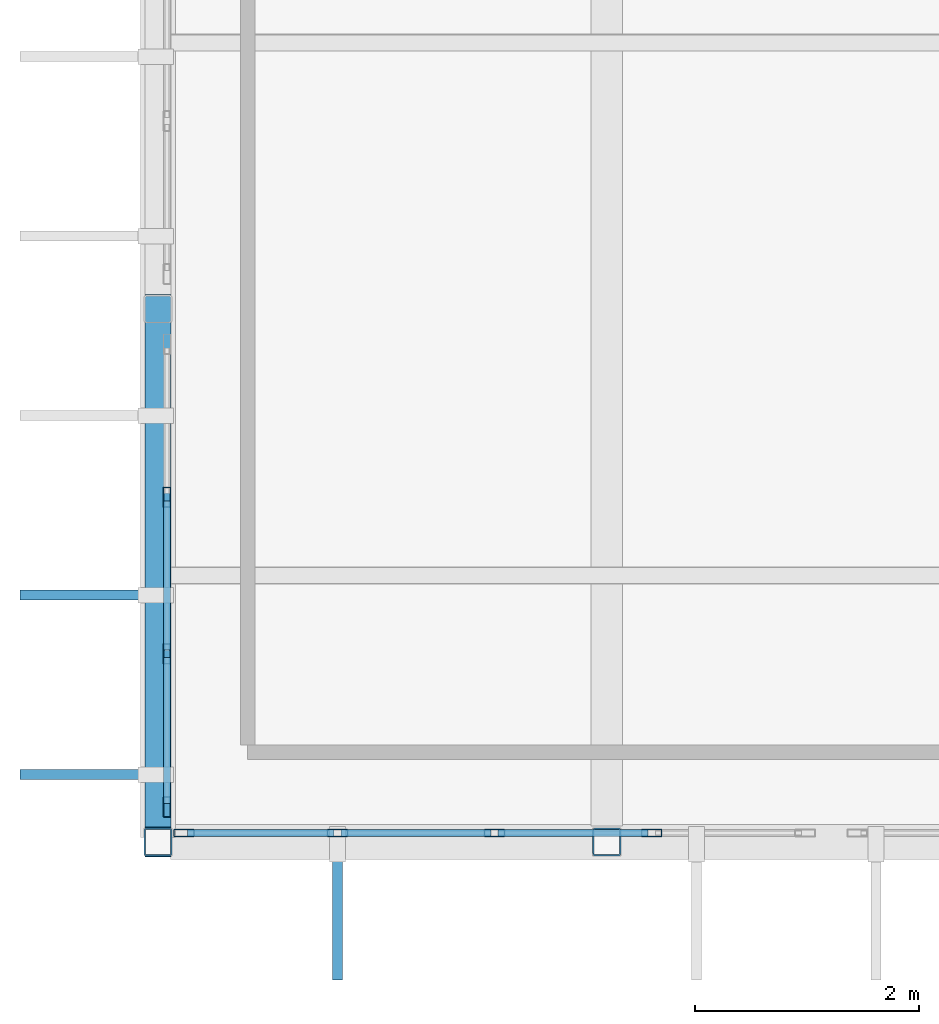
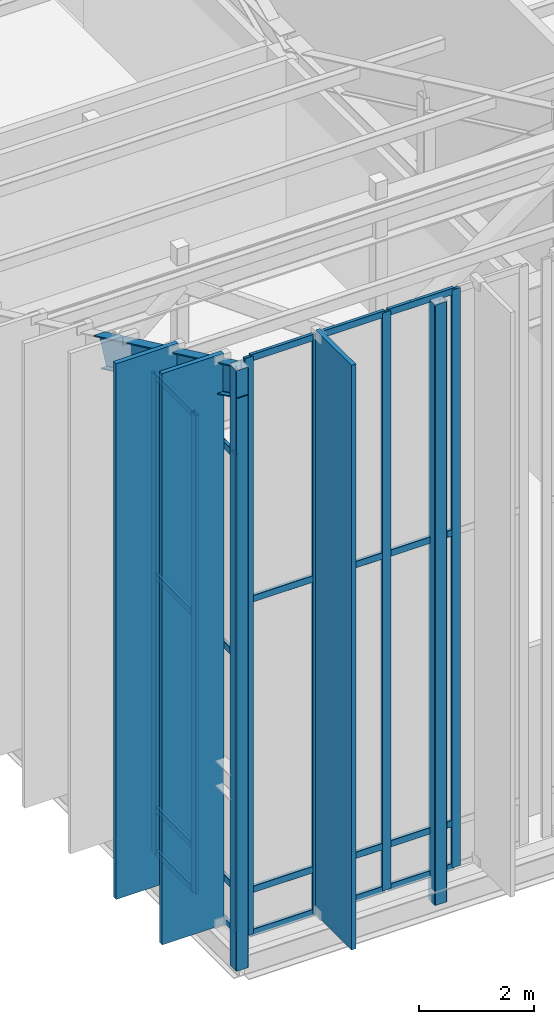
# One storey, part 2 of 68: 32 members, 1 beam, 2 elements without a shape of their own.
"""IFC4 building model written with IfcOpenShell, lengths in metres."""

from ifc_helpers import new_model, si_unit, direction, frame, origin, origin_2d, place, context, subcontext, project, spatial, rectangle, hollow_rectangle, i_section, extrude, material, material_profile, profile_set, type_object, element, aggregate, save


model = new_model("IFC4")

# Units and contexts
model_context = context("Model", 3, precision=1e-05, world=origin(), true_north=direction((0.0, 1.0)))
body_context = subcontext(model_context, "Body", "Model", "MODEL_VIEW")
ifc_project = project(units=[si_unit("LENGTHUNIT", "METRE"), si_unit("AREAUNIT", "SQUARE_METRE"), si_unit("VOLUMEUNIT", "CUBIC_METRE"), si_unit("PLANEANGLEUNIT", "RADIAN"), si_unit("MASSUNIT", "GRAM", prefix="KILO")], contexts=[model_context])

# Site, building, storey
site_placement = place(None, origin())
site = spatial("IfcSite", under=ifc_project, at=site_placement, CompositionType="ELEMENT")
building_placement = place(site_placement, origin())
building = spatial("IfcBuilding", under=site, at=building_placement, Name="Miravela Opera House", CompositionType="ELEMENT")
storey_placement = place(building_placement, frame((0.0, 0.0, 21.760009765625)))
storey = spatial("IfcBuildingStorey", under=building, at=storey_placement, Name="L05", CompositionType="ELEMENT", Elevation=21.760009765625)

# Curtain wall, members
ifc_material_1 = material(Name="Anodised architectural bronze aluminium 6063-T6", Category="aluminium")
curtain_wall_type = type_object("IfcCurtainWallType", Name="ARC-CW-03", PredefinedType="NOTDEFINED", material=ifc_material_1)
curtain_wall_1_placement = place(storey_placement, origin())
curtain_wall_1 = element("IfcCurtainWall", 1, at=curtain_wall_1_placement, inside=storey, type_object=curtain_wall_type, Name="Cantilever West Wrapper Glazing B1 CW-L05-047", PredefinedType="NOTDEFINED")
ifc_material_profile_1 = material_profile(ifc_material_1, hollow_rectangle(XDim=0.06494140625, YDim=0.179931640625, WallThickness=0.00390625, InnerFilletRadius=0.001953125, OuterFilletRadius=0.00390625, at=origin_2d()), Name="CWM-65X180")
ifc_profile_set_1 = profile_set([ifc_material_profile_1])
member_type_1 = type_object("IfcMemberType", Name="ARC-CWM-180", PredefinedType="MULLION", material=ifc_profile_set_1)
member_1_placement = place(storey_placement, frame((15.080078125, 37.3125, 0.0), z_axis=(0.0, 0.0, 1.0), x_axis=(-1.0, 0.0, 0.0)))
member_1 = element("IfcMember", 2, at=member_1_placement, type_object=member_type_1, Name="CW-03 mullion 1", PredefinedType="MULLION", context=body_context, shape_type="SweptSolid", body=[
    extrude(hollow_rectangle(XDim=0.06494140625, YDim=0.179931640625, WallThickness=0.00390625, InnerFilletRadius=0.001953125, OuterFilletRadius=0.00390625, at=origin_2d()), origin(), (0.0, 0.0, 1.0), 10.192626953125),
])
member_2_placement = place(storey_placement, frame((15.080078125, 38.6767578125, 0.0), z_axis=(0.0, 0.0, 1.0), x_axis=(-1.0, 0.0, 0.0)))
member_2 = element("IfcMember", 3, at=member_2_placement, type_object=member_type_1, Name="CW-03 mullion 2", PredefinedType="MULLION", context=body_context, shape_type="SweptSolid", body=[
    extrude(hollow_rectangle(XDim=0.06494140625, YDim=0.179931640625, WallThickness=0.00390625, InnerFilletRadius=0.001953125, OuterFilletRadius=0.00390625, at=origin_2d()), origin(), (0.0, 0.0, 1.0), 10.192626953125),
])
member_3_placement = place(storey_placement, frame((15.080078125, 40.0732421875, 0.0), z_axis=(0.0, 0.0, 1.0), x_axis=(-1.0, 0.0, 0.0)))
member_3 = element("IfcMember", 4, at=member_3_placement, type_object=member_type_1, Name="CW-03 mullion 3", PredefinedType="MULLION", context=body_context, shape_type="SweptSolid", body=[
    extrude(hollow_rectangle(XDim=0.06494140625, YDim=0.179931640625, WallThickness=0.00390625, InnerFilletRadius=0.001953125, OuterFilletRadius=0.00390625, at=origin_2d()), origin(), (0.0, 0.0, 1.0), 10.192626953125),
])

curtain_wall_2_placement = place(storey_placement, origin())
curtain_wall_2 = element("IfcCurtainWall", 5, at=curtain_wall_2_placement, inside=storey, type_object=curtain_wall_type, Name="Auditorium South Wrapper Glazing CW-L05-056", PredefinedType="NOTDEFINED")
member_4_placement = place(storey_placement, frame((15.232421875, 37.080078125, 0.0), z_axis=(0.0, 0.0, 1.0), x_axis=(0.0, 1.0, 0.0)))
member_4 = element("IfcMember", 6, at=member_4_placement, type_object=member_type_1, Name="CW-03 mullion 1", PredefinedType="MULLION", context=body_context, shape_type="SweptSolid", body=[
    extrude(hollow_rectangle(XDim=0.06494140625, YDim=0.179931640625, WallThickness=0.00390625, InnerFilletRadius=0.001953125, OuterFilletRadius=0.00390625, at=origin_2d()), origin(), (0.0, 0.0, 1.0), 12.31005859375),
])
member_5_placement = place(storey_placement, frame((16.60009765625, 37.080078125, 0.0), z_axis=(0.0, 0.0, 1.0), x_axis=(0.0, 1.0, 0.0)))
member_5 = element("IfcMember", 7, at=member_5_placement, type_object=member_type_1, Name="CW-03 mullion 2", PredefinedType="MULLION", context=body_context, shape_type="SweptSolid", body=[
    extrude(hollow_rectangle(XDim=0.06494140625, YDim=0.179931640625, WallThickness=0.00390625, InnerFilletRadius=0.001953125, OuterFilletRadius=0.00390625, at=origin_2d()), origin(), (0.0, 0.0, 1.0), 12.31005859375),
])
member_6_placement = place(storey_placement, frame((18.0, 37.080078125, 0.0), z_axis=(0.0, 0.0, 1.0), x_axis=(0.0, 1.0, 0.0)))
member_6 = element("IfcMember", 8, at=member_6_placement, type_object=member_type_1, Name="CW-03 mullion 3", PredefinedType="MULLION", context=body_context, shape_type="SweptSolid", body=[
    extrude(hollow_rectangle(XDim=0.06494140625, YDim=0.179931640625, WallThickness=0.00390625, InnerFilletRadius=0.001953125, OuterFilletRadius=0.00390625, at=origin_2d()), origin(), (0.0, 0.0, 1.0), 12.31005859375),
])
member_7_placement = place(storey_placement, frame((19.39990234375, 37.080078125, 0.0), z_axis=(0.0, 0.0, 1.0), x_axis=(0.0, 1.0, 0.0)))
member_7 = element("IfcMember", 9, at=member_7_placement, type_object=member_type_1, Name="CW-03 mullion 4", PredefinedType="MULLION", context=body_context, shape_type="SweptSolid", body=[
    extrude(hollow_rectangle(XDim=0.06494140625, YDim=0.179931640625, WallThickness=0.00390625, InnerFilletRadius=0.001953125, OuterFilletRadius=0.00390625, at=origin_2d()), origin(), (0.0, 0.0, 1.0), 12.31005859375),
])

# Member
ifc_material_profile_2 = material_profile(ifc_material_1, hollow_rectangle(XDim=0.06494140625, YDim=0.139892578125, WallThickness=0.00390625, InnerFilletRadius=0.001953125, OuterFilletRadius=0.00390625, at=origin_2d()), Name="CWT-65X140")
ifc_profile_set_2 = profile_set([ifc_material_profile_2])
member_type_2 = type_object("IfcMemberType", Name="ARC-CWT-140", PredefinedType="USERDEFINED", material=ifc_profile_set_2)
member_8_placement = place(storey_placement, frame((15.080078125, 37.344970703125, 0.032470703125), z_axis=(0.0, 1.0, 0.0), x_axis=(-1.0, 0.0, 0.0)))
member_8 = element("IfcMember", 10, at=member_8_placement, type_object=member_type_2, Name="CW-03 transom 1.1", ObjectType="TRANSOM", PredefinedType="USERDEFINED", context=body_context, shape_type="SweptSolid", body=[
    extrude(hollow_rectangle(XDim=0.06494140625, YDim=0.139892578125, WallThickness=0.00390625, InnerFilletRadius=0.001953125, OuterFilletRadius=0.00390625, at=origin_2d()), origin(), (0.0, 0.0, 1.0), 1.29931640625),
])

member_9_placement = place(storey_placement, frame((15.080078125, 37.344970703125, 0.949951171875), z_axis=(0.0, 1.0, 0.0), x_axis=(-1.0, 0.0, 0.0)))
member_9 = element("IfcMember", 11, at=member_9_placement, type_object=member_type_2, Name="CW-03 transom 1.2", ObjectType="TRANSOM", PredefinedType="USERDEFINED", context=body_context, shape_type="SweptSolid", body=[
    extrude(hollow_rectangle(XDim=0.06494140625, YDim=0.139892578125, WallThickness=0.00390625, InnerFilletRadius=0.001953125, OuterFilletRadius=0.00390625, at=origin_2d()), origin(), (0.0, 0.0, 1.0), 1.29931640625),
])

member_10_placement = place(storey_placement, frame((15.080078125, 37.344970703125, 5.91162109375), z_axis=(0.0, 1.0, 0.0), x_axis=(-1.0, 0.0, 0.0)))
member_10 = element("IfcMember", 12, at=member_10_placement, type_object=member_type_2, Name="CW-03 transom 1.3", ObjectType="TRANSOM", PredefinedType="USERDEFINED", context=body_context, shape_type="SweptSolid", body=[
    extrude(hollow_rectangle(XDim=0.06494140625, YDim=0.139892578125, WallThickness=0.00390625, InnerFilletRadius=0.001953125, OuterFilletRadius=0.00390625, at=origin_2d()), origin(), (0.0, 0.0, 1.0), 1.29931640625),
])

member_11_placement = place(storey_placement, frame((15.080078125, 37.344970703125, 10.16015625), z_axis=(0.0, 1.0, 0.0), x_axis=(-1.0, 0.0, 0.0)))
member_11 = element("IfcMember", 13, at=member_11_placement, type_object=member_type_2, Name="CW-03 transom 1.4", ObjectType="TRANSOM", PredefinedType="USERDEFINED", context=body_context, shape_type="SweptSolid", body=[
    extrude(hollow_rectangle(XDim=0.06494140625, YDim=0.139892578125, WallThickness=0.00390625, InnerFilletRadius=0.001953125, OuterFilletRadius=0.00390625, at=origin_2d()), origin(), (0.0, 0.0, 1.0), 1.29931640625),
])

member_12_placement = place(storey_placement, frame((15.080078125, 38.709228515625, 0.032470703125), z_axis=(0.0, 1.0, 0.0), x_axis=(-1.0, 0.0, 0.0)))
member_12 = element("IfcMember", 14, at=member_12_placement, type_object=member_type_2, Name="CW-03 transom 2.1", ObjectType="TRANSOM", PredefinedType="USERDEFINED", context=body_context, shape_type="SweptSolid", body=[
    extrude(hollow_rectangle(XDim=0.06494140625, YDim=0.139892578125, WallThickness=0.00390625, InnerFilletRadius=0.001953125, OuterFilletRadius=0.00390625, at=origin_2d()), origin(), (0.0, 0.0, 1.0), 1.33154296875),
])

member_13_placement = place(storey_placement, frame((15.080078125, 38.709228515625, 0.949951171875), z_axis=(0.0, 1.0, 0.0), x_axis=(-1.0, 0.0, 0.0)))
member_13 = element("IfcMember", 15, at=member_13_placement, type_object=member_type_2, Name="CW-03 transom 2.2", ObjectType="TRANSOM", PredefinedType="USERDEFINED", context=body_context, shape_type="SweptSolid", body=[
    extrude(hollow_rectangle(XDim=0.06494140625, YDim=0.139892578125, WallThickness=0.00390625, InnerFilletRadius=0.001953125, OuterFilletRadius=0.00390625, at=origin_2d()), origin(), (0.0, 0.0, 1.0), 1.33154296875),
])

member_14_placement = place(storey_placement, frame((15.080078125, 38.709228515625, 5.91162109375), z_axis=(0.0, 1.0, 0.0), x_axis=(-1.0, 0.0, 0.0)))
member_14 = element("IfcMember", 16, at=member_14_placement, type_object=member_type_2, Name="CW-03 transom 2.3", ObjectType="TRANSOM", PredefinedType="USERDEFINED", context=body_context, shape_type="SweptSolid", body=[
    extrude(hollow_rectangle(XDim=0.06494140625, YDim=0.139892578125, WallThickness=0.00390625, InnerFilletRadius=0.001953125, OuterFilletRadius=0.00390625, at=origin_2d()), origin(), (0.0, 0.0, 1.0), 1.33154296875),
])

member_15_placement = place(storey_placement, frame((15.080078125, 38.709228515625, 10.16015625), z_axis=(0.0, 1.0, 0.0), x_axis=(-1.0, 0.0, 0.0)))
member_15 = element("IfcMember", 17, at=member_15_placement, type_object=member_type_2, Name="CW-03 transom 2.4", ObjectType="TRANSOM", PredefinedType="USERDEFINED", context=body_context, shape_type="SweptSolid", body=[
    extrude(hollow_rectangle(XDim=0.06494140625, YDim=0.139892578125, WallThickness=0.00390625, InnerFilletRadius=0.001953125, OuterFilletRadius=0.00390625, at=origin_2d()), origin(), (0.0, 0.0, 1.0), 1.33154296875),
])

aggregate(curtain_wall_1, [member_1, member_2, member_3, member_8, member_9, member_10, member_11, member_12, member_13, member_14, member_15])

member_16_placement = place(storey_placement, frame((15.264892578125, 37.080078125, 0.032470703125), z_axis=(1.0, 0.0, 0.0), x_axis=(0.0, 1.0, 0.0)))
member_16 = element("IfcMember", 18, at=member_16_placement, type_object=member_type_2, Name="CW-03 transom 1.1", ObjectType="TRANSOM", PredefinedType="USERDEFINED", context=body_context, shape_type="SweptSolid", body=[
    extrude(hollow_rectangle(XDim=0.06494140625, YDim=0.139892578125, WallThickness=0.00390625, InnerFilletRadius=0.001953125, OuterFilletRadius=0.00390625, at=origin_2d()), origin(), (0.0, 0.0, 1.0), 1.302490234375),
])

member_17_placement = place(storey_placement, frame((15.264892578125, 37.080078125, 0.949951171875), z_axis=(1.0, 0.0, 0.0), x_axis=(0.0, 1.0, 0.0)))
member_17 = element("IfcMember", 19, at=member_17_placement, type_object=member_type_2, Name="CW-03 transom 1.2", ObjectType="TRANSOM", PredefinedType="USERDEFINED", context=body_context, shape_type="SweptSolid", body=[
    extrude(hollow_rectangle(XDim=0.06494140625, YDim=0.139892578125, WallThickness=0.00390625, InnerFilletRadius=0.001953125, OuterFilletRadius=0.00390625, at=origin_2d()), origin(), (0.0, 0.0, 1.0), 1.302490234375),
])

member_18_placement = place(storey_placement, frame((15.264892578125, 37.080078125, 7.139892578125), z_axis=(1.0, 0.0, 0.0), x_axis=(0.0, 1.0, 0.0)))
member_18 = element("IfcMember", 20, at=member_18_placement, type_object=member_type_2, Name="CW-03 transom 1.3", ObjectType="TRANSOM", PredefinedType="USERDEFINED", context=body_context, shape_type="SweptSolid", body=[
    extrude(hollow_rectangle(XDim=0.06494140625, YDim=0.139892578125, WallThickness=0.00390625, InnerFilletRadius=0.001953125, OuterFilletRadius=0.00390625, at=origin_2d()), origin(), (0.0, 0.0, 1.0), 1.302490234375),
])

member_19_placement = place(storey_placement, frame((15.264892578125, 37.080078125, 12.277587890625), z_axis=(1.0, 0.0, 0.0), x_axis=(0.0, 1.0, 0.0)))
member_19 = element("IfcMember", 21, at=member_19_placement, type_object=member_type_2, Name="CW-03 transom 1.4", ObjectType="TRANSOM", PredefinedType="USERDEFINED", context=body_context, shape_type="SweptSolid", body=[
    extrude(hollow_rectangle(XDim=0.06494140625, YDim=0.139892578125, WallThickness=0.00390625, InnerFilletRadius=0.001953125, OuterFilletRadius=0.00390625, at=origin_2d()), origin(), (0.0, 0.0, 1.0), 1.302490234375),
])

member_20_placement = place(storey_placement, frame((16.632568359375, 37.080078125, 0.032470703125), z_axis=(1.0, 0.0, 0.0), x_axis=(0.0, 1.0, 0.0)))
member_20 = element("IfcMember", 22, at=member_20_placement, type_object=member_type_2, Name="CW-03 transom 2.1", ObjectType="TRANSOM", PredefinedType="USERDEFINED", context=body_context, shape_type="SweptSolid", body=[
    extrude(hollow_rectangle(XDim=0.06494140625, YDim=0.139892578125, WallThickness=0.00390625, InnerFilletRadius=0.001953125, OuterFilletRadius=0.00390625, at=origin_2d()), origin(), (0.0, 0.0, 1.0), 1.3349609375),
])

member_21_placement = place(storey_placement, frame((16.632568359375, 37.080078125, 0.949951171875), z_axis=(1.0, 0.0, 0.0), x_axis=(0.0, 1.0, 0.0)))
member_21 = element("IfcMember", 23, at=member_21_placement, type_object=member_type_2, Name="CW-03 transom 2.2", ObjectType="TRANSOM", PredefinedType="USERDEFINED", context=body_context, shape_type="SweptSolid", body=[
    extrude(hollow_rectangle(XDim=0.06494140625, YDim=0.139892578125, WallThickness=0.00390625, InnerFilletRadius=0.001953125, OuterFilletRadius=0.00390625, at=origin_2d()), origin(), (0.0, 0.0, 1.0), 1.3349609375),
])

member_22_placement = place(storey_placement, frame((16.632568359375, 37.080078125, 7.139892578125), z_axis=(1.0, 0.0, 0.0), x_axis=(0.0, 1.0, 0.0)))
member_22 = element("IfcMember", 24, at=member_22_placement, type_object=member_type_2, Name="CW-03 transom 2.3", ObjectType="TRANSOM", PredefinedType="USERDEFINED", context=body_context, shape_type="SweptSolid", body=[
    extrude(hollow_rectangle(XDim=0.06494140625, YDim=0.139892578125, WallThickness=0.00390625, InnerFilletRadius=0.001953125, OuterFilletRadius=0.00390625, at=origin_2d()), origin(), (0.0, 0.0, 1.0), 1.3349609375),
])

member_23_placement = place(storey_placement, frame((16.632568359375, 37.080078125, 12.277587890625), z_axis=(1.0, 0.0, 0.0), x_axis=(0.0, 1.0, 0.0)))
member_23 = element("IfcMember", 25, at=member_23_placement, type_object=member_type_2, Name="CW-03 transom 2.4", ObjectType="TRANSOM", PredefinedType="USERDEFINED", context=body_context, shape_type="SweptSolid", body=[
    extrude(hollow_rectangle(XDim=0.06494140625, YDim=0.139892578125, WallThickness=0.00390625, InnerFilletRadius=0.001953125, OuterFilletRadius=0.00390625, at=origin_2d()), origin(), (0.0, 0.0, 1.0), 1.3349609375),
])

member_24_placement = place(storey_placement, frame((18.032470703125, 37.080078125, 0.032470703125), z_axis=(1.0, 0.0, 0.0), x_axis=(0.0, 1.0, 0.0)))
member_24 = element("IfcMember", 26, at=member_24_placement, type_object=member_type_2, Name="CW-03 transom 3.1", ObjectType="TRANSOM", PredefinedType="USERDEFINED", context=body_context, shape_type="SweptSolid", body=[
    extrude(hollow_rectangle(XDim=0.06494140625, YDim=0.139892578125, WallThickness=0.00390625, InnerFilletRadius=0.001953125, OuterFilletRadius=0.00390625, at=origin_2d()), origin(), (0.0, 0.0, 1.0), 1.3349609375),
])

member_25_placement = place(storey_placement, frame((18.032470703125, 37.080078125, 0.949951171875), z_axis=(1.0, 0.0, 0.0), x_axis=(0.0, 1.0, 0.0)))
member_25 = element("IfcMember", 27, at=member_25_placement, type_object=member_type_2, Name="CW-03 transom 3.2", ObjectType="TRANSOM", PredefinedType="USERDEFINED", context=body_context, shape_type="SweptSolid", body=[
    extrude(hollow_rectangle(XDim=0.06494140625, YDim=0.139892578125, WallThickness=0.00390625, InnerFilletRadius=0.001953125, OuterFilletRadius=0.00390625, at=origin_2d()), origin(), (0.0, 0.0, 1.0), 1.3349609375),
])

member_26_placement = place(storey_placement, frame((18.032470703125, 37.080078125, 7.139892578125), z_axis=(1.0, 0.0, 0.0), x_axis=(0.0, 1.0, 0.0)))
member_26 = element("IfcMember", 28, at=member_26_placement, type_object=member_type_2, Name="CW-03 transom 3.3", ObjectType="TRANSOM", PredefinedType="USERDEFINED", context=body_context, shape_type="SweptSolid", body=[
    extrude(hollow_rectangle(XDim=0.06494140625, YDim=0.139892578125, WallThickness=0.00390625, InnerFilletRadius=0.001953125, OuterFilletRadius=0.00390625, at=origin_2d()), origin(), (0.0, 0.0, 1.0), 1.3349609375),
])

member_27_placement = place(storey_placement, frame((18.032470703125, 37.080078125, 12.277587890625), z_axis=(1.0, 0.0, 0.0), x_axis=(0.0, 1.0, 0.0)))
member_27 = element("IfcMember", 29, at=member_27_placement, type_object=member_type_2, Name="CW-03 transom 3.4", ObjectType="TRANSOM", PredefinedType="USERDEFINED", context=body_context, shape_type="SweptSolid", body=[
    extrude(hollow_rectangle(XDim=0.06494140625, YDim=0.139892578125, WallThickness=0.00390625, InnerFilletRadius=0.001953125, OuterFilletRadius=0.00390625, at=origin_2d()), origin(), (0.0, 0.0, 1.0), 1.3349609375),
])

aggregate(curtain_wall_2, [member_4, member_5, member_6, member_7, member_16, member_17, member_18, member_19, member_20, member_21, member_22, member_23, member_24, member_25, member_26, member_27])

# Members
ifc_material_profile_3 = material_profile(ifc_material_1, rectangle(XDim=0.090087890625, YDim=1.25, at=origin_2d()), Name="FIN-1250X90")
ifc_profile_set_3 = profile_set([ifc_material_profile_3])
member_type_3 = type_object("IfcMemberType", Name="ARC-FIN-1250", PredefinedType="USERDEFINED", material=ifc_profile_set_3)
member_28_placement = place(storey_placement, frame((14.39501953125, 37.60009765625, 0.0), z_axis=(0.0, 0.0, 1.0), x_axis=(0.0, 1.0, 0.0)))
element("IfcMember", 30, at=member_28_placement, inside=storey, type_object=member_type_3, Name="Auditorium Wrapper Bronze Solar Fin FIN-L05-WEST-0141", ObjectType="FIN", PredefinedType="USERDEFINED", context=body_context, shape_type="SweptSolid", body=[
    extrude(rectangle(XDim=0.090087890625, YDim=1.25, at=origin_2d()), origin(), (0.0, 0.0, 1.0), 12.165771484375),
])
member_29_placement = place(storey_placement, frame((14.39501953125, 39.199951171875, 0.0), z_axis=(0.0, 0.0, 1.0), x_axis=(0.0, 1.0, 0.0)))
element("IfcMember", 31, at=member_29_placement, inside=storey, type_object=member_type_3, Name="Auditorium Wrapper Bronze Solar Fin FIN-L05-WEST-0142", ObjectType="FIN", PredefinedType="USERDEFINED", context=body_context, shape_type="SweptSolid", body=[
    extrude(rectangle(XDim=0.090087890625, YDim=1.25, at=origin_2d()), origin(), (0.0, 0.0, 1.0), 11.407958984375),
])
member_30_placement = place(storey_placement, frame((16.60009765625, 36.39501953125, 0.0), z_axis=(0.0, 0.0, 1.0), x_axis=(1.0, 0.0, 0.0)))
element("IfcMember", 32, at=member_30_placement, inside=storey, type_object=member_type_3, Name="Auditorium Wrapper Bronze Solar Fin FIN-L05-SOUTH-0166", ObjectType="FIN", PredefinedType="USERDEFINED", context=body_context, shape_type="SweptSolid", body=[
    extrude(rectangle(XDim=0.090087890625, YDim=1.25, at=origin_2d()), origin(), (0.0, 0.0, 1.0), 12.449951171875),
])

# Beam
ifc_material_2 = material(Name="Structural steel ASTM A992 Gr. 50", Category="steel")
ifc_material_profile_4 = material_profile(ifc_material_2, i_section(OverallWidth=0.22998046875, OverallDepth=0.616943359375, WebThickness=0.01318359375, FlangeThickness=0.022216796875, FilletRadius=0.01806640625, at=origin_2d()), Name="W610X140")
ifc_profile_set_4 = profile_set([ifc_material_profile_4])
beam_type = type_object("IfcBeamType", Name="STR-BM-W610X140", PredefinedType="BEAM", material=ifc_profile_set_4)
beam_placement = place(storey_placement, frame((15.0, 37.0, 11.939453125), z_axis=(0.0, 0.903737838894, -0.428086344739), x_axis=(-1.0, 0.0, 0.0)))
element("IfcBeam", 33, at=beam_placement, inside=storey, type_object=beam_type, Name="V-Crest Roof Rafter Girder X=15 Seg 1", PredefinedType="BEAM", context=body_context, shape_type="SweptSolid", body=[
    extrude(i_section(OverallWidth=0.22998046875, OverallDepth=0.616943359375, WebThickness=0.01318359375, FlangeThickness=0.022216796875, FilletRadius=0.01806640625, at=origin_2d()), origin(), (0.0, 0.0, 1.0), 5.255859375),
])

# Members
ifc_material_3 = material(Name="Hollow structural steel ASTM A500 Gr. C", Category="steel")
ifc_material_profile_5 = material_profile(ifc_material_3, hollow_rectangle(XDim=0.25, YDim=0.25, WallThickness=0.011962890625, InnerFilletRadius=0.011962890625, OuterFilletRadius=0.02392578125, at=origin_2d()), Name="HSS250X250X12")
ifc_profile_set_5 = profile_set([ifc_material_profile_5])
member_type_4 = type_object("IfcMemberType", Name="STR-MEM-CANT-POST2", PredefinedType="POST", material=ifc_profile_set_5)
for number, where, z_axis, x_axis, name in (
    (34, (15.0, 37.0, -0.5400390625), (0.0, 0.0, 1.0), (1.0, 0.0, 0.0), "Upper Wrapper Truss Post L05 X=15.0"),
    (35, (19.0, 37.0, -0.5400390625), (0.0, 0.0, 1.0), (1.0, 0.0, 0.0), "Upper Wrapper Truss Post L05 X=19.0"),
):
    element("IfcMember", number, at=place(storey_placement, frame(where, z_axis=z_axis, x_axis=x_axis)), inside=storey, type_object=member_type_4, Name=name, PredefinedType="POST", context=body_context, shape_type="SweptSolid", body=[
        extrude(hollow_rectangle(XDim=0.25, YDim=0.25, WallThickness=0.011962890625, InnerFilletRadius=0.011962890625, OuterFilletRadius=0.02392578125, at=origin_2d()), origin(), (0.0, 0.0, 1.0), 12.7900390625),
    ])

save(model, "model.ifc")
